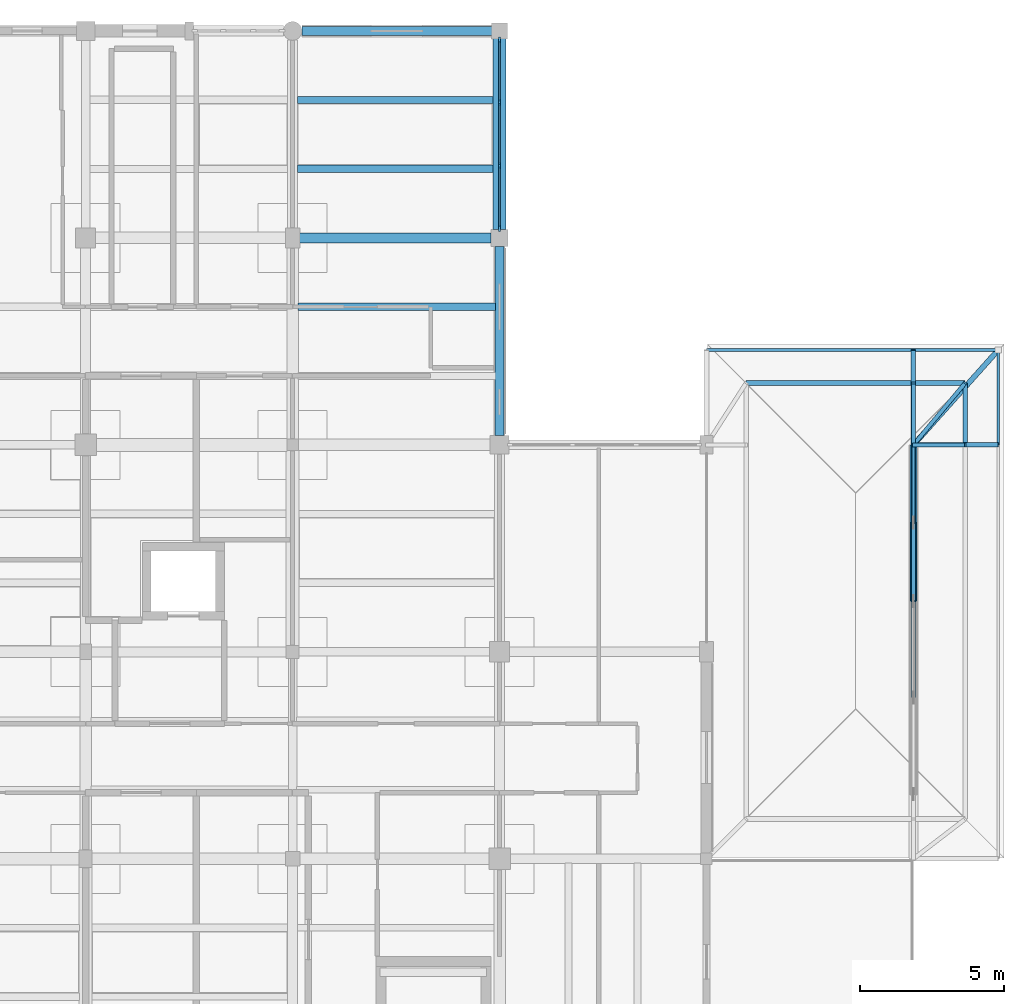
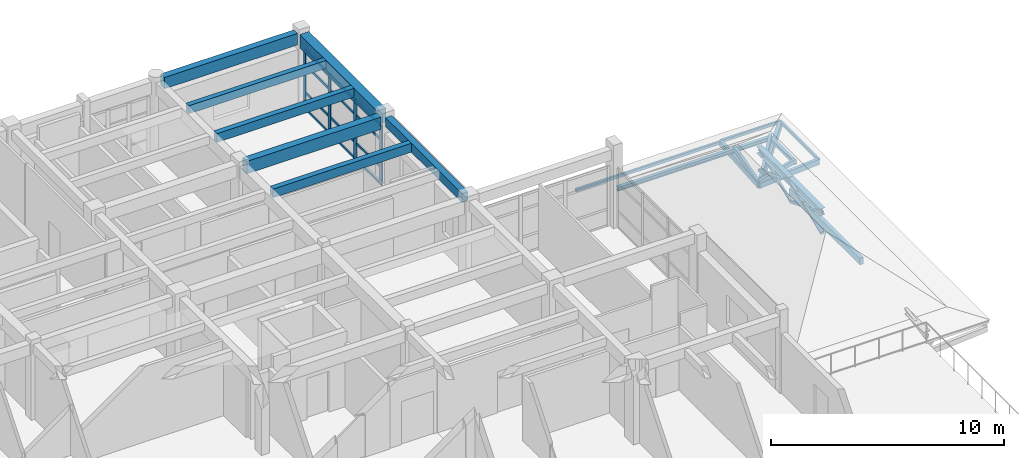
# One storey, part 40 of 100: 35 members, 7 beams, 1 element without a shape of its own.
"""IFC4 building model written with IfcOpenShell, lengths in metres."""

from ifc_helpers import new_model, si_unit, direction, frame, origin, origin_2d, place, context, subcontext, project, spatial, rectangle, hollow_rectangle, hollow_circle, i_section, extrude, material, material_profile, profile_set, type_object, element, aggregate, save


model = new_model("IFC4")

# Units and contexts
model_context = context("Model", 3, precision=1e-05, world=origin(), true_north=direction((0.0, 1.0)))
body_context = subcontext(model_context, "Body", "Model", "MODEL_VIEW")
ifc_project = project(units=[si_unit("LENGTHUNIT", "METRE"), si_unit("AREAUNIT", "SQUARE_METRE"), si_unit("VOLUMEUNIT", "CUBIC_METRE"), si_unit("PLANEANGLEUNIT", "RADIAN"), si_unit("MASSUNIT", "GRAM", prefix="KILO")], contexts=[model_context])

# Site, building, storey
site_placement = place(None, origin())
site = spatial("IfcSite", under=ifc_project, at=site_placement, CompositionType="ELEMENT")
building_placement = place(site_placement, origin())
building = spatial("IfcBuilding", under=site, at=building_placement, Name="Steenspoor Specialist Clinic", CompositionType="ELEMENT")
storey_placement = place(building_placement, frame((0.0, 0.0, 9.0)))
storey = spatial("IfcBuildingStorey", under=building, at=storey_placement, Name="L02", CompositionType="ELEMENT", Elevation=9.0)

# Beams
ifc_material_1 = material(Name="Concrete C35/45", Category="concrete")
ifc_material_profile_1 = material_profile(ifc_material_1, rectangle(XDim=0.300048828125, YDim=0.47998046875, at=origin_2d()), Name="RC-BM-300X480")
ifc_profile_set_1 = profile_set([ifc_material_profile_1], Name="Concrete C35/45")
beam_type_1 = type_object("IfcBeamType", Name="BM-RC-300X480", PredefinedType="BEAM", material=ifc_profile_set_1)
beam_1_placement = place(storey_placement, frame((146.800048828125, 94.27001953125, 3.7099609375), z_axis=(0.0, 1.0, 0.0), x_axis=(-1.0, 0.0, 0.0)))
element("IfcBeam", 1, at=beam_1_placement, inside=storey, type_object=beam_type_1, Name="BM-V6-L02-Y1655", PredefinedType="BEAM", context=body_context, shape_type="SweptSolid", body=[
    extrude(rectangle(XDim=0.300048828125, YDim=0.47998046875, at=origin_2d()), origin(), (0.0, 0.0, 1.0), 6.5849609375),
])
ifc_material_profile_2 = material_profile(ifc_material_1, rectangle(XDim=0.35009765625, YDim=0.64990234375, at=origin_2d()), Name="RC-BM-350X650")
ifc_profile_set_2 = profile_set([ifc_material_profile_2], Name="Concrete C35/45")
beam_type_2 = type_object("IfcBeamType", Name="BM-RC-350X650", PredefinedType="BEAM", material=ifc_profile_set_2)
beam_2_placement = place(storey_placement, frame((139.844970703125, 101.14990234375, 3.625), z_axis=(1.0, 0.0, 0.0), x_axis=(0.0, 1.0, 0.0)))
element("IfcBeam", 2, at=beam_2_placement, inside=storey, type_object=beam_type_2, Name="BM-V6-L02-X1622", PredefinedType="BEAM", context=body_context, shape_type="SweptSolid", body=[
    extrude(rectangle(XDim=0.35009765625, YDim=0.64990234375, at=origin_2d()), origin(), (0.0, 0.0, 1.0), 6.659912109375),
])
ifc_material_profile_3 = material_profile(ifc_material_1, rectangle(XDim=0.449951171875, YDim=0.719970703125, at=origin_2d()), Name="RC-BM-450X720")
ifc_profile_set_3 = profile_set([ifc_material_profile_3], Name="Concrete C35/45")
beam_type_3 = type_object("IfcBeamType", Name="BM-RC-450X720", PredefinedType="BEAM", material=ifc_profile_set_3)
beam_3_placement = place(storey_placement, frame((146.800048828125, 101.445068359375, 3.590087890625), z_axis=(0.0, 1.0, 0.0), x_axis=(-1.0, 0.0, 0.0)))
element("IfcBeam", 3, at=beam_3_placement, inside=storey, type_object=beam_type_3, Name="BM-V6-L02-Y1656", PredefinedType="BEAM", context=body_context, shape_type="SweptSolid", body=[
    extrude(rectangle(XDim=0.449951171875, YDim=0.719970703125, at=origin_2d()), origin(), (0.0, 0.0, 1.0), 6.635009765625),
])

# Curtain wall, members
ifc_material_2 = material(Name="Thermally broken aluminium and low-emissivity glass", Category="aluminium")
curtain_wall_type = type_object("IfcCurtainWallType", Name="CW-STR-220X415", PredefinedType="USERDEFINED", material=ifc_material_2)
curtain_wall_placement = place(storey_placement, origin())
curtain_wall = element("IfcCurtainWall", 4, at=curtain_wall_placement, inside=storey, type_object=curtain_wall_type, Name="Unitised Curtain Wall CW-V6-L02-192", ObjectType="UNITISED GLAZING", PredefinedType="USERDEFINED")
ifc_material_3 = material(Name="Thermally broken aluminium 6063-T6", Category="aluminium")
ifc_material_profile_4 = material_profile(ifc_material_3, rectangle(XDim=0.080078125, YDim=0.219970703125, at=origin_2d()), Name="CWM-80X220")
ifc_profile_set_4 = profile_set([ifc_material_profile_4], Name="Thermally broken aluminium 6063-T6")
member_type_1 = type_object("IfcMemberType", Name="CW-MULL-80X220", PredefinedType="MULLION", material=ifc_profile_set_4)
member_1_placement = place(storey_placement, frame((146.800048828125, 108.034912109375, 0.0), z_axis=(0.0, 0.0, 1.0), x_axis=(1.0, 0.0, 0.0)))
member_1 = element("IfcMember", 5, at=member_1_placement, type_object=member_type_1, Name="CW-24 mullion 1", PredefinedType="MULLION", context=body_context, shape_type="SweptSolid", body=[
    extrude(rectangle(XDim=0.080078125, YDim=0.219970703125, at=origin_2d()), origin(), (0.0, 0.0, 1.0), 3.1298828125),
])
member_2_placement = place(storey_placement, frame((146.800048828125, 105.86669921875, 0.0), z_axis=(0.0, 0.0, 1.0), x_axis=(1.0, 0.0, 0.0)))
member_2 = element("IfcMember", 6, at=member_2_placement, type_object=member_type_1, Name="CW-24 mullion 2", PredefinedType="MULLION", context=body_context, shape_type="SweptSolid", body=[
    extrude(rectangle(XDim=0.080078125, YDim=0.219970703125, at=origin_2d()), origin(), (0.0, 0.0, 1.0), 3.1298828125),
])
member_3_placement = place(storey_placement, frame((146.800048828125, 103.658447265625, 0.0), z_axis=(0.0, 0.0, 1.0), x_axis=(1.0, 0.0, 0.0)))
member_3 = element("IfcMember", 7, at=member_3_placement, type_object=member_type_1, Name="CW-24 mullion 3", PredefinedType="MULLION", context=body_context, shape_type="SweptSolid", body=[
    extrude(rectangle(XDim=0.080078125, YDim=0.219970703125, at=origin_2d()), origin(), (0.0, 0.0, 1.0), 3.1298828125),
])
member_4_placement = place(storey_placement, frame((146.800048828125, 101.489990234375, 0.0), z_axis=(0.0, 0.0, 1.0), x_axis=(1.0, 0.0, 0.0)))
member_4 = element("IfcMember", 8, at=member_4_placement, type_object=member_type_1, Name="CW-24 mullion 4", PredefinedType="MULLION", context=body_context, shape_type="SweptSolid", body=[
    extrude(rectangle(XDim=0.080078125, YDim=0.219970703125, at=origin_2d()), origin(), (0.0, 0.0, 1.0), 3.1298828125),
])
ifc_material_profile_5 = material_profile(ifc_material_3, rectangle(XDim=0.06494140625, YDim=0.1298828125, at=origin_2d()), Name="CWT-65X130")
ifc_profile_set_5 = profile_set([ifc_material_profile_5], Name="Thermally broken aluminium 6063-T6")
member_type_2 = type_object("IfcMemberType", Name="CW-TRAN-65X130", PredefinedType="USERDEFINED", material=ifc_profile_set_5)
member_5_placement = place(storey_placement, frame((146.800048828125, 107.9951171875, 0.032470703125), z_axis=(0.0, -1.0, 0.0), x_axis=(1.0, 0.0, 0.0)))
member_5 = element("IfcMember", 9, at=member_5_placement, type_object=member_type_2, Name="CW-24 transom 1.1", ObjectType="TRANSOM", PredefinedType="USERDEFINED", context=body_context, shape_type="SweptSolid", body=[
    extrude(rectangle(XDim=0.06494140625, YDim=0.1298828125, at=origin_2d()), origin(), (0.0, 0.0, 1.0), 2.08837890625),
])
member_6_placement = place(storey_placement, frame((146.800048828125, 107.9951171875, 0.89990234375), z_axis=(0.0, -1.0, 0.0), x_axis=(1.0, 0.0, 0.0)))
member_6 = element("IfcMember", 10, at=member_6_placement, type_object=member_type_2, Name="CW-24 transom 1.2", ObjectType="TRANSOM", PredefinedType="USERDEFINED", context=body_context, shape_type="SweptSolid", body=[
    extrude(rectangle(XDim=0.06494140625, YDim=0.1298828125, at=origin_2d()), origin(), (0.0, 0.0, 1.0), 2.08837890625),
])
member_7_placement = place(storey_placement, frame((146.800048828125, 107.9951171875, 2.35009765625), z_axis=(0.0, -1.0, 0.0), x_axis=(1.0, 0.0, 0.0)))
member_7 = element("IfcMember", 11, at=member_7_placement, type_object=member_type_2, Name="CW-24 transom 1.3", ObjectType="TRANSOM", PredefinedType="USERDEFINED", context=body_context, shape_type="SweptSolid", body=[
    extrude(rectangle(XDim=0.06494140625, YDim=0.1298828125, at=origin_2d()), origin(), (0.0, 0.0, 1.0), 2.08837890625),
])
member_8_placement = place(storey_placement, frame((146.800048828125, 107.9951171875, 3.097412109375), z_axis=(0.0, -1.0, 0.0), x_axis=(1.0, 0.0, 0.0)))
member_8 = element("IfcMember", 12, at=member_8_placement, type_object=member_type_2, Name="CW-24 transom 1.4", ObjectType="TRANSOM", PredefinedType="USERDEFINED", context=body_context, shape_type="SweptSolid", body=[
    extrude(rectangle(XDim=0.06494140625, YDim=0.1298828125, at=origin_2d()), origin(), (0.0, 0.0, 1.0), 2.08837890625),
])
member_9_placement = place(storey_placement, frame((146.800048828125, 105.82666015625, 0.032470703125), z_axis=(0.0, -1.0, 0.0), x_axis=(1.0, 0.0, 0.0)))
member_9 = element("IfcMember", 13, at=member_9_placement, type_object=member_type_2, Name="CW-24 transom 2.1", ObjectType="TRANSOM", PredefinedType="USERDEFINED", context=body_context, shape_type="SweptSolid", body=[
    extrude(rectangle(XDim=0.06494140625, YDim=0.1298828125, at=origin_2d()), origin(), (0.0, 0.0, 1.0), 2.12841796875),
])
member_10_placement = place(storey_placement, frame((146.800048828125, 105.82666015625, 0.89990234375), z_axis=(0.0, -1.0, 0.0), x_axis=(1.0, 0.0, 0.0)))
member_10 = element("IfcMember", 14, at=member_10_placement, type_object=member_type_2, Name="CW-24 transom 2.2", ObjectType="TRANSOM", PredefinedType="USERDEFINED", context=body_context, shape_type="SweptSolid", body=[
    extrude(rectangle(XDim=0.06494140625, YDim=0.1298828125, at=origin_2d()), origin(), (0.0, 0.0, 1.0), 2.12841796875),
])
member_11_placement = place(storey_placement, frame((146.800048828125, 105.82666015625, 2.35009765625), z_axis=(0.0, -1.0, 0.0), x_axis=(1.0, 0.0, 0.0)))
member_11 = element("IfcMember", 15, at=member_11_placement, type_object=member_type_2, Name="CW-24 transom 2.3", ObjectType="TRANSOM", PredefinedType="USERDEFINED", context=body_context, shape_type="SweptSolid", body=[
    extrude(rectangle(XDim=0.06494140625, YDim=0.1298828125, at=origin_2d()), origin(), (0.0, 0.0, 1.0), 2.12841796875),
])
member_12_placement = place(storey_placement, frame((146.800048828125, 105.82666015625, 3.097412109375), z_axis=(0.0, -1.0, 0.0), x_axis=(1.0, 0.0, 0.0)))
member_12 = element("IfcMember", 16, at=member_12_placement, type_object=member_type_2, Name="CW-24 transom 2.4", ObjectType="TRANSOM", PredefinedType="USERDEFINED", context=body_context, shape_type="SweptSolid", body=[
    extrude(rectangle(XDim=0.06494140625, YDim=0.1298828125, at=origin_2d()), origin(), (0.0, 0.0, 1.0), 2.12841796875),
])
member_13_placement = place(storey_placement, frame((146.800048828125, 103.618408203125, 0.032470703125), z_axis=(0.0, -1.0, 0.0), x_axis=(1.0, 0.0, 0.0)))
member_13 = element("IfcMember", 17, at=member_13_placement, type_object=member_type_2, Name="CW-24 transom 3.1", ObjectType="TRANSOM", PredefinedType="USERDEFINED", context=body_context, shape_type="SweptSolid", body=[
    extrude(rectangle(XDim=0.06494140625, YDim=0.1298828125, at=origin_2d()), origin(), (0.0, 0.0, 1.0), 2.08837890625),
])
member_14_placement = place(storey_placement, frame((146.800048828125, 103.618408203125, 0.89990234375), z_axis=(0.0, -1.0, 0.0), x_axis=(1.0, 0.0, 0.0)))
member_14 = element("IfcMember", 18, at=member_14_placement, type_object=member_type_2, Name="CW-24 transom 3.2", ObjectType="TRANSOM", PredefinedType="USERDEFINED", context=body_context, shape_type="SweptSolid", body=[
    extrude(rectangle(XDim=0.06494140625, YDim=0.1298828125, at=origin_2d()), origin(), (0.0, 0.0, 1.0), 2.08837890625),
])
member_15_placement = place(storey_placement, frame((146.800048828125, 103.618408203125, 2.35009765625), z_axis=(0.0, -1.0, 0.0), x_axis=(1.0, 0.0, 0.0)))
member_15 = element("IfcMember", 19, at=member_15_placement, type_object=member_type_2, Name="CW-24 transom 3.3", ObjectType="TRANSOM", PredefinedType="USERDEFINED", context=body_context, shape_type="SweptSolid", body=[
    extrude(rectangle(XDim=0.06494140625, YDim=0.1298828125, at=origin_2d()), origin(), (0.0, 0.0, 1.0), 2.08837890625),
])
member_16_placement = place(storey_placement, frame((146.800048828125, 103.618408203125, 3.097412109375), z_axis=(0.0, -1.0, 0.0), x_axis=(1.0, 0.0, 0.0)))
member_16 = element("IfcMember", 20, at=member_16_placement, type_object=member_type_2, Name="CW-24 transom 3.4", ObjectType="TRANSOM", PredefinedType="USERDEFINED", context=body_context, shape_type="SweptSolid", body=[
    extrude(rectangle(XDim=0.06494140625, YDim=0.1298828125, at=origin_2d()), origin(), (0.0, 0.0, 1.0), 2.08837890625),
])
aggregate(curtain_wall, [member_1, member_2, member_3, member_4, member_5, member_6, member_7, member_8, member_9, member_10, member_11, member_12, member_13, member_14, member_15, member_16])

# Beams
ifc_material_profile_6 = material_profile(ifc_material_1, rectangle(XDim=0.239990234375, YDim=0.419921875, at=origin_2d()), Name="RC-JT-240X420")
ifc_profile_set_6 = profile_set([ifc_material_profile_6], Name="Concrete C35/45")
beam_type_4 = type_object("IfcBeamType", Name="JT-RC-240X420", PredefinedType="JOIST", material=ifc_profile_set_6)
beam_4_placement = place(storey_placement, frame((139.77001953125, 105.949951171875, 3.739990234375), z_axis=(1.0, 0.0, 0.0), x_axis=(0.0, 1.0, 0.0)))
element("IfcBeam", 21, at=beam_4_placement, inside=storey, type_object=beam_type_4, Name="JT-V6-L02-1699", PredefinedType="JOIST", context=body_context, shape_type="SweptSolid", body=[
    extrude(rectangle(XDim=0.239990234375, YDim=0.419921875, at=origin_2d()), origin(), (0.0, 0.0, 1.0), 6.81005859375),
])
ifc_material_profile_7 = material_profile(ifc_material_1, rectangle(XDim=0.260009765625, YDim=0.4599609375, at=origin_2d()), Name="RC-JT-260X460")
ifc_profile_set_7 = profile_set([ifc_material_profile_7], Name="Concrete C35/45")
beam_type_5 = type_object("IfcBeamType", Name="JT-RC-260X460", PredefinedType="JOIST", material=ifc_profile_set_7)
beam_5_placement = place(storey_placement, frame((139.794921875, 98.75, 3.719970703125), z_axis=(1.0, 0.0, 0.0), x_axis=(0.0, 1.0, 0.0)))
element("IfcBeam", 22, at=beam_5_placement, inside=storey, type_object=beam_type_5, Name="JT-V6-L02-1697", PredefinedType="JOIST", context=body_context, shape_type="SweptSolid", body=[
    extrude(rectangle(XDim=0.260009765625, YDim=0.4599609375, at=origin_2d()), origin(), (0.0, 0.0, 1.0), 6.860107421875),
])
beam_6_placement = place(storey_placement, frame((139.77001953125, 103.550048828125, 3.719970703125), z_axis=(1.0, 0.0, 0.0), x_axis=(0.0, 1.0, 0.0)))
element("IfcBeam", 23, at=beam_6_placement, inside=storey, type_object=beam_type_5, Name="JT-V6-L02-1698", PredefinedType="JOIST", context=body_context, shape_type="SweptSolid", body=[
    extrude(rectangle(XDim=0.260009765625, YDim=0.4599609375, at=origin_2d()), origin(), (0.0, 0.0, 1.0), 6.81005859375),
])

# Members
ifc_material_4 = material(Name="Steel A500 Grade C", Category="steel")
ifc_material_profile_8 = material_profile(ifc_material_4, hollow_rectangle(XDim=0.126953125, YDim=0.126953125, WallThickness=0.0087890625, at=origin_2d()), Name="HSS127X127X9.5")
ifc_profile_set_8 = profile_set([ifc_material_profile_8], Name="Steel A500 Grade C")
member_type_3 = type_object("IfcMemberType", Name="MEM-BRACE-H127A", PredefinedType="BRACE", material=ifc_profile_set_8)
member_17_placement = place(storey_placement, frame((161.199951171875, 88.514892578125, 1.398193359375), z_axis=(0.0, 0.926146188367, -0.377164735591), x_axis=(-1.0, 0.0, 0.0)))
element("IfcMember", 24, at=member_17_placement, inside=storey, type_object=member_type_3, Name="ROOF TRUSS Web Brace V6T1 2.3", PredefinedType="BRACE", context=body_context, shape_type="SweptSolid", body=[
    extrude(hollow_rectangle(XDim=0.126953125, YDim=0.126953125, WallThickness=0.0087890625, at=origin_2d()), origin(), (0.0, 0.0, 1.0), 2.934326171875),
])
ifc_material_profile_9 = material_profile(ifc_material_4, hollow_rectangle(XDim=0.126953125, YDim=0.126953125, WallThickness=0.005859375, at=origin_2d()), Name="HSS127X127X6.4")
ifc_profile_set_9 = profile_set([ifc_material_profile_9], Name="Steel A500 Grade C")
member_type_4 = type_object("IfcMemberType", Name="MEM-BRACE-H127B", PredefinedType="BRACE", material=ifc_profile_set_9)
member_18_placement = place(storey_placement, frame((161.199951171875, 91.232421875, 1.398193359375), z_axis=(0.0, 0.926146188367, -0.377164735591), x_axis=(-1.0, 0.0, 0.0)))
element("IfcMember", 25, at=member_18_placement, inside=storey, type_object=member_type_4, Name="ROOF TRUSS Web Brace V6T1 2.4", PredefinedType="BRACE", context=body_context, shape_type="SweptSolid", body=[
    extrude(hollow_rectangle(XDim=0.126953125, YDim=0.126953125, WallThickness=0.005859375, at=origin_2d()), origin(), (0.0, 0.0, 1.0), 2.934326171875),
])
ifc_material_5 = material(Name="Steel A992 Grade 50", Category="steel")
ifc_material_profile_10 = material_profile(ifc_material_5, i_section(OverallWidth=0.257080078125, OverallDepth=0.363037109375, WebThickness=0.012939453125, FlangeThickness=0.021728515625, at=origin_2d()), Name="W360X122")
ifc_profile_set_10 = profile_set([ifc_material_profile_10], Name="Steel A992 Grade 50")
member_type_5 = type_object("IfcMemberType", Name="MEM-CHORD-W360", PredefinedType="CHORD", material=ifc_profile_set_10)
for number, where, z_axis, x_axis, name in (
    (26, (161.199951171875, 88.514892578125, 1.398193359375), (0.0, 1.0, 0.0), (-1.0, 0.0, 0.0), "ROOF TRUSS Top Chord V6T1 2.3"),
    (27, (161.199951171875, 91.232421875, 1.398193359375), (0.0, 1.0, 0.0), (-1.0, 0.0, 0.0), "ROOF TRUSS Top Chord V6T1 2.4"),
):
    element("IfcMember", number, at=place(storey_placement, frame(where, z_axis=z_axis, x_axis=x_axis)), inside=storey, type_object=member_type_5, Name=name, PredefinedType="CHORD", context=body_context, shape_type="SweptSolid", body=[
        extrude(i_section(OverallWidth=0.257080078125, OverallDepth=0.363037109375, WebThickness=0.012939453125, FlangeThickness=0.021728515625, at=origin_2d()), origin(), (0.0, 0.0, 1.0), 2.717529296875),
    ])
ifc_material_profile_11 = material_profile(ifc_material_4, hollow_rectangle(XDim=0.1015625, YDim=0.15234375, WallThickness=0.005859375, at=origin_2d()), Name="HSS152X102X6.4")
ifc_profile_set_11 = profile_set([ifc_material_profile_11], Name="Steel A500 Grade C")
member_type_6 = type_object("IfcMemberType", Name="MEM-PURLIN-H152", PredefinedType="PURLIN", material=ifc_profile_set_11)
member_19_placement = place(storey_placement, frame((154.0, 97.25, -0.243408203125), z_axis=(1.0, 0.0, 0.0), x_axis=(0.0, 1.0, 0.0)))
element("IfcMember", 28, at=member_19_placement, inside=storey, type_object=member_type_6, Name="ROOF TRUSS Eave Fascia 468", PredefinedType="PURLIN", context=body_context, shape_type="SweptSolid", body=[
    extrude(hollow_rectangle(XDim=0.1015625, YDim=0.15234375, WallThickness=0.005859375, at=origin_2d()), origin(), (0.0, 0.0, 1.0), 7.199951171875),
])
member_20_placement = place(storey_placement, frame((161.199951171875, 97.25, -0.19482421875), z_axis=(1.0, 0.0, 0.0), x_axis=(0.0, 1.0, 0.0)))
element("IfcMember", 29, at=member_20_placement, inside=storey, type_object=member_type_6, Name="ROOF TRUSS Eave Fascia 469", PredefinedType="PURLIN", context=body_context, shape_type="SweptSolid", body=[
    extrude(hollow_rectangle(XDim=0.1015625, YDim=0.15234375, WallThickness=0.005859375, at=origin_2d()), origin(), (0.0, 0.0, 1.0), 2.949951171875),
])
member_21_placement = place(storey_placement, frame((164.14990234375, 93.949951171875, -0.19482421875), z_axis=(0.0, 1.0, 0.0), x_axis=(-1.0, 0.0, 0.0)))
element("IfcMember", 30, at=member_21_placement, inside=storey, type_object=member_type_6, Name="ROOF TRUSS Eave Fascia 471", PredefinedType="PURLIN", context=body_context, shape_type="SweptSolid", body=[
    extrude(hollow_rectangle(XDim=0.1015625, YDim=0.15234375, WallThickness=0.005859375, at=origin_2d()), origin(), (0.0, 0.0, 1.0), 3.300048828125),
])
ifc_material_profile_12 = material_profile(ifc_material_5, i_section(OverallWidth=0.1650390625, OverallDepth=0.200927734375, WebThickness=0.006103515625, FlangeThickness=0.01025390625, at=origin_2d()), Name="W200X36")
ifc_profile_set_12 = profile_set([ifc_material_profile_12], Name="Steel A992 Grade 50")
member_type_7 = type_object("IfcMemberType", Name="MEM-PURLIN-W200", PredefinedType="PURLIN", material=ifc_profile_set_12)
member_22_placement = place(storey_placement, frame((155.3798828125, 96.10009765625, 0.043212890625), z_axis=(1.0, 0.0, 0.0), x_axis=(0.0, 1.0, 0.0)))
element("IfcMember", 31, at=member_22_placement, inside=storey, type_object=member_type_7, Name="ROOF TRUSS Knuckle Purlin 473", PredefinedType="PURLIN", context=body_context, shape_type="SweptSolid", body=[
    extrude(i_section(OverallWidth=0.1650390625, OverallDepth=0.200927734375, WebThickness=0.006103515625, FlangeThickness=0.01025390625, at=origin_2d()), origin(), (0.0, 0.0, 1.0), 5.820068359375),
])
member_23_placement = place(storey_placement, frame((161.199951171875, 96.10009765625, 0.043212890625), z_axis=(1.0, 0.0, 0.0), x_axis=(0.0, 1.0, 0.0)))
element("IfcMember", 32, at=member_23_placement, inside=storey, type_object=member_type_7, Name="ROOF TRUSS Knuckle Purlin 475", PredefinedType="PURLIN", context=body_context, shape_type="SweptSolid", body=[
    extrude(i_section(OverallWidth=0.1650390625, OverallDepth=0.200927734375, WebThickness=0.006103515625, FlangeThickness=0.01025390625, at=origin_2d()), origin(), (0.0, 0.0, 1.0), 1.800048828125),
])
member_24_placement = place(storey_placement, frame((163.0, 93.949951171875, 0.043212890625), z_axis=(0.0, 1.0, 0.0), x_axis=(-1.0, 0.0, 0.0)))
element("IfcMember", 33, at=member_24_placement, inside=storey, type_object=member_type_7, Name="ROOF TRUSS Knuckle Purlin 479", PredefinedType="PURLIN", context=body_context, shape_type="SweptSolid", body=[
    extrude(i_section(OverallWidth=0.1650390625, OverallDepth=0.200927734375, WebThickness=0.006103515625, FlangeThickness=0.01025390625, at=origin_2d()), origin(), (0.0, 0.0, 1.0), 2.150146484375),
])
ifc_material_6 = material(Name="Glulam GL28h", Category="wood")
ifc_material_profile_13 = material_profile(ifc_material_6, rectangle(XDim=0.139892578125, YDim=0.219970703125, at=origin_2d()), Name="GL28H-140X220")
ifc_profile_set_13 = profile_set([ifc_material_profile_13], Name="Glulam GL28h")
member_type_8 = type_object("IfcMemberType", Name="MEM-RAFTER-GL220", PredefinedType="RAFTER", material=ifc_profile_set_13)
member_25_placement = place(storey_placement, frame((161.199951171875, 93.949951171875, -0.429931640625), z_axis=(0.0, 0.962450408082, 0.271457569397), x_axis=(-1.0, 0.0, 0.0)))
element("IfcMember", 34, at=member_25_placement, inside=storey, type_object=member_type_8, Name="ROOF TRUSS Knuckle Rafter V6T1 312", PredefinedType="RAFTER", context=body_context, shape_type="SweptSolid", body=[
    extrude(rectangle(XDim=0.139892578125, YDim=0.219970703125, at=origin_2d()), origin(), (0.0, 0.0, 1.0), 2.234130859375),
])
member_26_placement = place(storey_placement, frame((161.199951171875, 93.949951171875, -0.35693359375), z_axis=(0.958783680822, 0.0, 0.284137032768), x_axis=(0.0, 1.0, 0.0)))
element("IfcMember", 35, at=member_26_placement, inside=storey, type_object=member_type_8, Name="ROOF TRUSS Knuckle Rafter V6T1 316", PredefinedType="RAFTER", context=body_context, shape_type="SweptSolid", body=[
    extrude(rectangle(XDim=0.139892578125, YDim=0.219970703125, at=origin_2d()), origin(), (0.0, 0.0, 1.0), 1.87744140625),
])
member_27_placement = place(storey_placement, frame((161.199951171875, 93.949951171875, -0.5), z_axis=(0.624018032521, 0.745385435021, 0.234525155041), x_axis=(-0.76677062859, 0.641921181401, 0.0)))
element("IfcMember", 36, at=member_27_placement, inside=storey, type_object=member_type_8, Name="ROOF TRUSS Corner Knuckle Rafter V6T1 321", PredefinedType="RAFTER", context=body_context, shape_type="SweptSolid", body=[
    extrude(rectangle(XDim=0.139892578125, YDim=0.219970703125, at=origin_2d()), origin(), (0.0, 0.0, 1.0), 2.884521484375),
])
ifc_material_profile_14 = material_profile(ifc_material_6, rectangle(XDim=0.159912109375, YDim=0.280029296875, at=origin_2d()), Name="GL28H-160X280")
ifc_profile_set_14 = profile_set([ifc_material_profile_14], Name="Glulam GL28h")
member_type_9 = type_object("IfcMemberType", Name="MEM-RAFTER-GL280", PredefinedType="RAFTER", material=ifc_profile_set_14)
member_28_placement = place(storey_placement, frame((161.199951171875, 93.949951171875, -0.5), z_axis=(0.0, 0.997518653982, 0.070402663009), x_axis=(-1.0, 0.0, 0.0)))
element("IfcMember", 37, at=member_28_placement, inside=storey, type_object=member_type_9, Name="ROOF TRUSS Flared Eave Glulam Outrigger V6T1 311", PredefinedType="RAFTER", context=body_context, shape_type="SweptSolid", body=[
    extrude(rectangle(XDim=0.159912109375, YDim=0.280029296875, at=origin_2d()), origin(), (0.0, 0.0, 1.0), 3.308349609375),
])
member_29_placement = place(storey_placement, frame((161.199951171875, 93.949951171875, -0.5), z_axis=(0.996897637595, 0.0, 0.078708958559), x_axis=(0.0, 1.0, 0.0)))
element("IfcMember", 38, at=member_29_placement, inside=storey, type_object=member_type_9, Name="ROOF TRUSS Flared Eave Glulam Outrigger V6T1 315", PredefinedType="RAFTER", context=body_context, shape_type="SweptSolid", body=[
    extrude(rectangle(XDim=0.159912109375, YDim=0.280029296875, at=origin_2d()), origin(), (0.0, 0.0, 1.0), 2.959228515625),
])
ifc_material_profile_15 = material_profile(ifc_material_6, rectangle(XDim=0.179931640625, YDim=0.360107421875, at=origin_2d()), Name="GL28H-180X360")
ifc_profile_set_15 = profile_set([ifc_material_profile_15], Name="Glulam GL28h")
member_type_10 = type_object("IfcMemberType", Name="MEM-RAFTER-GL360", PredefinedType="RAFTER", material=ifc_profile_set_15)
member_30_placement = place(storey_placement, frame((161.199951171875, 93.949951171875, -0.5), z_axis=(0.665827583699, 0.744847426041, 0.043312131158), x_axis=(-0.745547055346, 0.666452990289, 0.0)))
element("IfcMember", 39, at=member_30_placement, inside=storey, type_object=member_type_10, Name="ROOF TRUSS Corner Hip Outrigger V6T1 320", PredefinedType="RAFTER", context=body_context, shape_type="SweptSolid", body=[
    extrude(rectangle(XDim=0.179931640625, YDim=0.360107421875, at=origin_2d()), origin(), (0.0, 0.0, 1.0), 4.430419921875),
])
member_31_placement = place(storey_placement, frame((161.199951171875, 85.157470703125, 0.844482421875), z_axis=(0.0, 1.0, 0.0), x_axis=(-1.0, 0.0, 0.0)))
element("IfcMember", 40, at=member_31_placement, inside=storey, type_object=member_type_10, Name="ROOF TRUSS Glulam Collar Rafter V6T1 2", PredefinedType="RAFTER", context=body_context, shape_type="SweptSolid", body=[
    extrude(rectangle(XDim=0.179931640625, YDim=0.360107421875, at=origin_2d()), origin(), (0.0, 0.0, 1.0), 6.074951171875),
])
ifc_material_profile_16 = material_profile(ifc_material_4, hollow_circle(Radius=0.109619140625, WallThickness=0.00830078125, at=origin_2d()), Name="CHS219X8.2")
ifc_profile_set_16 = profile_set([ifc_material_profile_16], Name="Steel A500 Grade C")
member_type_11 = type_object("IfcMemberType", Name="MEM-STRUT-CHS219", PredefinedType="STRUT", material=ifc_profile_set_16)
member_32_placement = place(storey_placement, frame((161.199951171875, 88.514892578125, 0.29150390625), z_axis=(0.0, 0.926146188367, 0.377164735591), x_axis=(-1.0, 0.0, 0.0)))
element("IfcMember", 41, at=member_32_placement, inside=storey, type_object=member_type_11, Name="ROOF TRUSS Web Strut V6T1 2.3", PredefinedType="STRUT", context=body_context, shape_type="SweptSolid", body=[
    extrude(hollow_circle(Radius=0.109619140625, WallThickness=0.00830078125, at=origin_2d()), origin(), (0.0, 0.0, 1.0), 2.934326171875),
])
ifc_material_profile_17 = material_profile(ifc_material_4, hollow_rectangle(XDim=0.1015625, YDim=0.1015625, WallThickness=0.005859375, at=origin_2d()), Name="HSS102X102X6.4")
ifc_profile_set_17 = profile_set([ifc_material_profile_17], Name="Steel A500 Grade C")
member_type_12 = type_object("IfcMemberType", Name="MEM-STRUT-H102", PredefinedType="STRUT", material=ifc_profile_set_17)
member_33_placement = place(storey_placement, frame((161.199951171875, 91.232421875, 0.29150390625), z_axis=(0.0, 0.926146188367, 0.377164735591), x_axis=(-1.0, 0.0, 0.0)))
element("IfcMember", 42, at=member_33_placement, inside=storey, type_object=member_type_12, Name="ROOF TRUSS Web Strut V6T1 2.4", PredefinedType="STRUT", context=body_context, shape_type="SweptSolid", body=[
    extrude(hollow_rectangle(XDim=0.1015625, YDim=0.1015625, WallThickness=0.005859375, at=origin_2d()), origin(), (0.0, 0.0, 1.0), 2.934326171875),
])

# Beam
ifc_material_profile_18 = material_profile(ifc_material_1, rectangle(XDim=0.320068359375, YDim=0.60009765625, at=origin_2d()), Name="RC-SP-320X600")
ifc_profile_set_18 = profile_set([ifc_material_profile_18], Name="Concrete C35/45")
beam_type_6 = type_object("IfcBeamType", Name="SP-RC-320X600", PredefinedType="SPANDREL", material=ifc_profile_set_18)
beam_7_placement = place(storey_placement, frame((139.919921875, 108.35009765625, 3.64990234375), z_axis=(1.0, 0.0, 0.0), x_axis=(0.0, 1.0, 0.0)))
element("IfcBeam", 43, at=beam_7_placement, inside=storey, type_object=beam_type_6, Name="BM-V6-L02-X1626", PredefinedType="SPANDREL", context=body_context, shape_type="SweptSolid", body=[
    extrude(rectangle(XDim=0.320068359375, YDim=0.60009765625, at=origin_2d()), origin(), (0.0, 0.0, 1.0), 6.610107421875),
])

save(model, "model.ifc")
